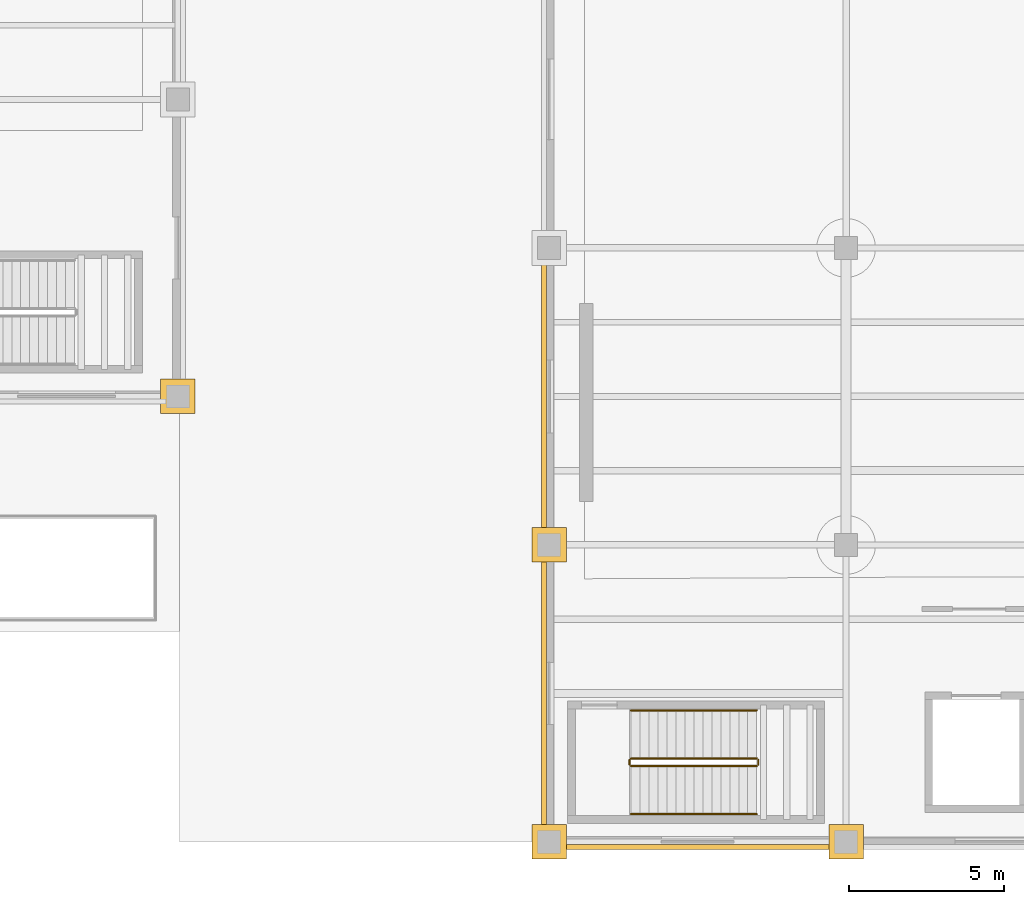
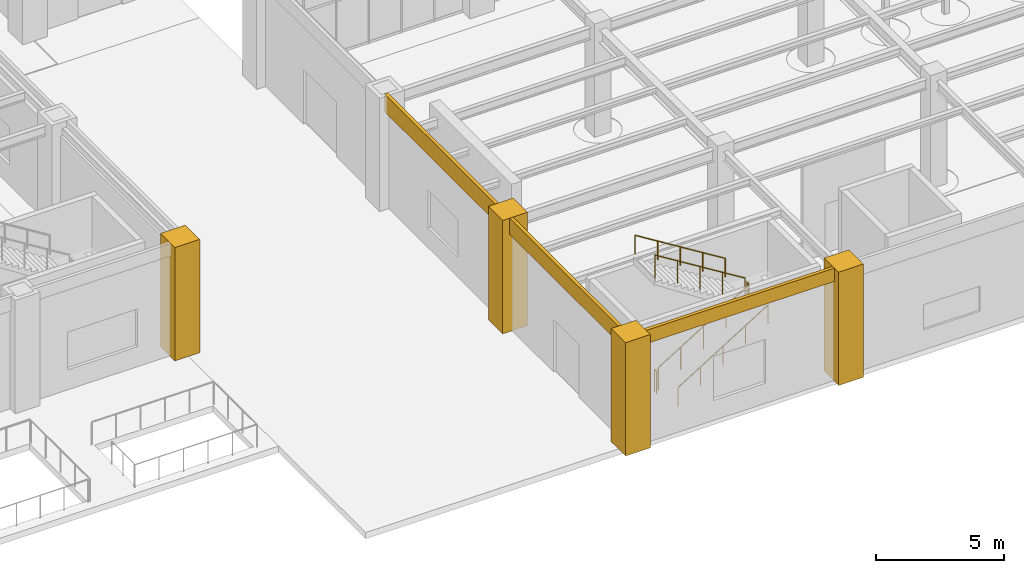
# One storey, part 149 of 164: 7 coverings, 6 railings.
"""IFC4 building model written with IfcOpenShell, lengths in metres."""

import ifcopenshell
import ifcopenshell.guid

model = None  # the IFC model being written
_history = None  # IfcOwnerHistory: only IFC2X3 demands one
_inside = {}  # id of a spatial element -> (the spatial element, [elements in it])
_under = {}  # id of a project, library or spatial element -> (it, [spatial elements below it])
_declared = {}  # id of a project -> (the project, [libraries it declares])
_typed = {}  # id of a type object -> (the type object, [elements of that type])
_made_of = {}  # id of a material, layer set ... -> (it, [elements and type objects made of it])


def new_model(schema):
    """Start an empty IFC model of exactly this schema.

    Asked for "IFC4X3", IfcOpenShell would pick the latest addendum, in which some entities
    have other attributes; the version numbers below select the first issue.
    IFC2X3 requires an IfcOwnerHistory on every rooted entity: one is made here for all.
    """
    global model, _history
    if schema == "IFC4X3":
        model = ifcopenshell.file(schema_version=(4, 3, 0, 0))
    else:
        model = ifcopenshell.file(schema=schema)
    _inside.clear()
    _under.clear()
    _declared.clear()
    _typed.clear()
    _made_of.clear()
    _history = None
    if model.schema == "IFC2X3":
        org = make("IfcOrganization", Name="unknown")
        user = make(
            "IfcPersonAndOrganization",
            ThePerson=make("IfcPerson", FamilyName="unknown"),
            TheOrganization=org,
        )
        app = make(
            "IfcApplication",
            ApplicationDeveloper=org,
            Version="unknown",
            ApplicationFullName="unknown",
            ApplicationIdentifier="unknown",
        )
        _history = make(
            "IfcOwnerHistory",
            OwningUser=user,
            OwningApplication=app,
            ChangeAction="ADDED",
            CreationDate=0,
        )
    return model


def make(cls, **values):
    """One entity of the class cls with the attributes given. An attribute that is None is left unset."""
    return model.create_entity(
        cls, **{name: value for name, value in values.items() if value is not None}
    )


def rooted(cls, **values):
    """An entity with a GlobalId (a new one), such as an element, a storey or a relation."""
    return make(cls, GlobalId=ifcopenshell.guid.new(), OwnerHistory=_history, **values)


def si_unit(unit_type, name, prefix=None):
    """IfcSIUnit, for example si_unit("LENGTHUNIT", "METRE", prefix="MILLI")."""
    return make("IfcSIUnit", UnitType=unit_type, Prefix=prefix, Name=name)


def assignment(units):
    """IfcUnitAssignment: the units of a project."""
    return None if units is None else make("IfcUnitAssignment", Units=units)


def point(xyz):
    """IfcCartesianPoint."""
    return None if xyz is None else make("IfcCartesianPoint", Coordinates=xyz)


def direction(xyz):
    """IfcDirection."""
    return None if xyz is None else make("IfcDirection", DirectionRatios=xyz)


def frame(location, z_axis=None, x_axis=None):
    """IfcAxis2Placement3D, a coordinate frame: its origin and axes. An axis left out is left unset."""
    return make(
        "IfcAxis2Placement3D",
        Location=point(location),
        Axis=direction(z_axis),
        RefDirection=direction(x_axis),
    )


def frame_2d(location, x_axis=None):
    """IfcAxis2Placement2D, a coordinate frame in the plane: its origin and x axis."""
    return make(
        "IfcAxis2Placement2D", Location=point(location), RefDirection=direction(x_axis)
    )


def origin():
    """The frame at (0, 0, 0) with its axes left unset."""
    return frame((0.0, 0.0, 0.0))


def origin_2d():
    """The frame at (0, 0) in the plane with its x axis left unset."""
    return frame_2d((0.0, 0.0))


def place(relative_to, where):
    """IfcLocalPlacement: puts the frame where relative to a parent placement (None: the world)."""
    return make(
        "IfcLocalPlacement", PlacementRelTo=relative_to, RelativePlacement=where
    )


def context(
    kind, dimensions, precision=None, world=None, true_north=None, identifier=None
):
    """IfcGeometricRepresentationContext, for example the 3D "Model" context."""
    return make(
        "IfcGeometricRepresentationContext",
        ContextIdentifier=identifier,
        ContextType=kind,
        CoordinateSpaceDimension=dimensions,
        Precision=precision,
        WorldCoordinateSystem=world,
        TrueNorth=true_north,
    )


def subcontext(parent, identifier, kind, view, scale=None):
    """IfcGeometricRepresentationSubContext, for example "Body" below "Model"."""
    return make(
        "IfcGeometricRepresentationSubContext",
        ContextIdentifier=identifier,
        ContextType=kind,
        ParentContext=parent,
        TargetScale=scale,
        TargetView=view,
    )


def project(units=None, contexts=None):
    """IfcProject with its units and contexts."""
    return rooted(
        "IfcProject",
        Name="project",
        RepresentationContexts=contexts,
        UnitsInContext=assignment(units),
    )


def spatial(cls, under=None, at=None, **own):
    """A site, building, storey or space (cls), placed at a placement, below another one or the project."""
    s = rooted(cls, ObjectPlacement=at, **own)
    if under is not None:
        _under.setdefault(under.id(), (under, []))[1].append(s)
    return s


def polyline(points):
    """IfcPolyline through the points."""
    return make("IfcPolyline", Points=[point(p) for p in points])


def profile(cls, at=None, kind="AREA", **sizes):
    """A parametric profile (cls). Its sizes go by their IFC names, for example OverallWidth=200.0."""
    return make(cls, ProfileType=kind, Position=at, **sizes)


def circle(**sizes):
    """IfcCircleProfileDef."""
    return profile("IfcCircleProfileDef", **sizes)


def outline(outer, holes=None, kind="AREA"):
    """IfcArbitraryClosedProfileDef: a profile drawn as a closed curve; with holes, ...WithVoids."""
    if holes is None:
        return make("IfcArbitraryClosedProfileDef", ProfileType=kind, OuterCurve=outer)
    return make(
        "IfcArbitraryProfileDefWithVoids",
        ProfileType=kind,
        OuterCurve=outer,
        InnerCurves=holes,
    )


def extrude(swept, where, along, depth):
    """IfcExtrudedAreaSolid: the profile swept, set in the frame where, extruded along a direction by depth."""
    return make(
        "IfcExtrudedAreaSolid",
        SweptArea=swept,
        Position=where,
        ExtrudedDirection=direction(along),
        Depth=depth,
    )


def shape(context_of_items, identifier, shape_type, items):
    """IfcShapeRepresentation: the items that make up one representation, for example the "Body"."""
    return make(
        "IfcShapeRepresentation",
        ContextOfItems=context_of_items,
        RepresentationIdentifier=identifier,
        RepresentationType=shape_type,
        Items=items,
    )


def material(Name=None, Category=None):
    """IfcMaterial."""
    return make("IfcMaterial", Name=Name, Category=Category)


def layer(
    of_material, thickness, ventilated=None, Name=None, Category=None, Priority=None
):
    """IfcMaterialLayer: one layer of a wall or slab, of a material (None: an air gap)."""
    return make(
        "IfcMaterialLayer",
        Material=of_material,
        LayerThickness=thickness,
        IsVentilated=ventilated,
        Name=Name,
        Category=Category,
        Priority=Priority,
    )


def layer_set(layers, Name=None):
    """IfcMaterialLayerSet."""
    return make("IfcMaterialLayerSet", MaterialLayers=layers, LayerSetName=Name)


def made_of(thing, what):
    """Note that an element or type object is made of a material, layer set ...; save() writes the relation."""
    if what is not None:
        _made_of.setdefault(what.id(), (what, []))[1].append(thing)
    return thing


def type_object(cls, material=None, **own):
    """A type object (cls), such as IfcWallType, which elements share."""
    return made_of(rooted(cls, **own), material)


def element(
    cls,
    number,
    at=None,
    inside=None,
    cuts=None,
    type_object=None,
    material=None,
    context=None,
    identifier="Body",
    shape_type=None,
    held_by="IfcProductDefinitionShape",
    body=None,
    shapes=None,
    **own,
):
    """One element of the class cls, such as IfcWall. Its Tag is "e" and its number.

    at: its placement. inside: the storey or other place that contains it. cuts: it is an
    opening in that element (IfcRelVoidsElement). A single representation is given by context,
    identifier, shape_type and body (its items); several are given by shapes. held_by: the class
    of the entity that holds the representations. save() writes the other relations.
    """
    e = rooted(cls, Tag="e%d" % number, ObjectPlacement=at, **own)
    if body is not None:
        shapes = [shape(context, identifier, shape_type, body)]
    if shapes is not None:
        e.Representation = make(held_by, Representations=shapes)
    if inside is not None:
        _inside.setdefault(inside.id(), (inside, []))[1].append(e)
    if cuts is not None:
        rooted(
            "IfcRelVoidsElement", RelatingBuildingElement=cuts, RelatedOpeningElement=e
        )
    if type_object is not None:
        _typed.setdefault(type_object.id(), (type_object, []))[1].append(e)
    return made_of(e, material)


def aggregate(whole, parts):
    """IfcRelAggregates: a whole, such as a stair, and the parts it consists of."""
    return rooted("IfcRelAggregates", RelatingObject=whole, RelatedObjects=parts)


def save(model, path):
    """Write the relations noted so far, then the file.

    IfcRelAggregates (storeys below a building ...), IfcRelContainedInSpatialStructure (elements
    in a storey), IfcRelDefinesByType, IfcRelAssociatesMaterial and IfcRelDeclares: one each for
    every whole, place, type object, material and project.
    """
    for whole, parts in _under.values():
        aggregate(whole, parts)
    for where, things in _inside.values():
        rooted(
            "IfcRelContainedInSpatialStructure",
            RelatedElements=things,
            RelatingStructure=where,
        )
    for kind, things in _typed.values():
        rooted("IfcRelDefinesByType", RelatedObjects=things, RelatingType=kind)
    for what, things in _made_of.values():
        rooted("IfcRelAssociatesMaterial", RelatedObjects=things, RelatingMaterial=what)
    for by, libraries in _declared.values():
        rooted("IfcRelDeclares", RelatingContext=by, RelatedDefinitions=libraries)
    model.write(path)


model = new_model("IFC4")

# Units and contexts
model_context = context("Model", 3, precision=1e-05, world=origin(), true_north=direction((0.0, 1.0)))
body_context = subcontext(model_context, "Body", "Model", "MODEL_VIEW")
ifc_project = project(units=[si_unit("LENGTHUNIT", "METRE"), si_unit("AREAUNIT", "SQUARE_METRE"), si_unit("VOLUMEUNIT", "CUBIC_METRE"), si_unit("PLANEANGLEUNIT", "RADIAN"), si_unit("MASSUNIT", "GRAM", prefix="KILO")], contexts=[model_context])

# Site, building, storey
site_placement = place(None, origin())
site = spatial("IfcSite", under=ifc_project, at=site_placement, CompositionType="ELEMENT")
building_placement = place(site_placement, origin())
building = spatial("IfcBuilding", under=site, at=building_placement, Name="Mavantir Sound Aquarium", CompositionType="ELEMENT")
storey_placement = place(building_placement, origin())
storey = spatial("IfcBuildingStorey", under=building, at=storey_placement, Name="L00", CompositionType="ELEMENT", Elevation=0.0)

# Coverings
ifc_material_1 = material(Name="Honed Coral-Limestone & Glazed Terracotta Rainscreen Cladding", Category="masonry")
ifc_layer = layer(ifc_material_1, 0.06005859375, Name="Honed Coral-Limestone & Glazed Terracotta Rainscreen Cladding")
ifc_layer_set = layer_set([ifc_layer], Name="Honed Coral-Limestone & Glazed Terracotta Rainscreen Cladding")
covering_type = type_object("IfcCoveringType", Name="COV-CLAD-TC", PredefinedType="CLADDING", material=ifc_layer_set)
covering_1_placement = place(storey_placement, frame((0.0, 0.0, 4.549072265625)))
element("IfcCovering", 1, at=covering_1_placement, inside=storey, type_object=covering_type, Name="L00 Postmodern coral-limestone spandrel frieze 134", PredefinedType="CLADDING", context=body_context, shape_type="SweptSolid", body=[
    extrude(outline(polyline([(107.909912109375, 18.81689453125), (107.909912109375, 9.98291015625), (107.760009765625, 9.98291015625), (107.760009765625, 18.81689453125), (107.909912109375, 18.81689453125)])), origin(), (0.0, 0.0, 1.0), 0.850830078125),
])
covering_2_placement = place(storey_placement, frame((0.0, 0.0, 4.613037109375)))
element("IfcCovering", 2, at=covering_2_placement, inside=storey, type_object=covering_type, Name="L00 Postmodern coral-limestone spandrel frieze 135", PredefinedType="CLADDING", context=body_context, shape_type="SweptSolid", body=[
    extrude(outline(polyline([(107.909912109375, 9.217041015625), (107.909912109375, 0.383056640625), (107.760009765625, 0.383056640625), (107.760009765625, 9.217041015625), (107.909912109375, 9.217041015625)])), origin(), (0.0, 0.0, 1.0), 0.786865234375),
])
covering_3_placement = place(storey_placement, frame((0.0, 0.0, 4.762939453125)))
element("IfcCovering", 3, at=covering_3_placement, inside=storey, type_object=covering_type, Name="L00 Postmodern coral-limestone spandrel frieze 136", PredefinedType="CLADDING", context=body_context, shape_type="SweptSolid", body=[
    extrude(outline(polyline([(108.383056640625, -0.090087890625), (117.217041015625, -0.090087890625), (117.217041015625, -0.239990234375), (108.383056640625, -0.239990234375), (108.383056640625, -0.090087890625)])), origin(), (0.0, 0.0, 1.0), 0.636962890625),
])
covering_4_placement = place(storey_placement, origin())
element("IfcCovering", 4, at=covering_4_placement, inside=storey, type_object=covering_type, Name="L00 Postmodern coral-limestone pilaster casing 417", PredefinedType="CLADDING", context=body_context, shape_type="SweptSolid", body=[
    extrude(outline(polyline([(107.43994140625, -0.56005859375), (108.56005859375, -0.56005859375), (108.56005859375, 0.56005859375), (107.43994140625, 0.56005859375), (107.43994140625, -0.56005859375)])), origin(), (0.0, 0.0, 1.0), 5.39990234375),
])
covering_5_placement = place(storey_placement, origin())
element("IfcCovering", 5, at=covering_5_placement, inside=storey, type_object=covering_type, Name="L00 Postmodern coral-limestone pilaster casing 421", PredefinedType="CLADDING", context=body_context, shape_type="SweptSolid", body=[
    extrude(outline(polyline([(107.43994140625, 9.0400390625), (108.56005859375, 9.0400390625), (108.56005859375, 10.159912109375), (107.43994140625, 10.159912109375), (107.43994140625, 9.0400390625)])), origin(), (0.0, 0.0, 1.0), 5.39990234375),
])
covering_6_placement = place(storey_placement, origin())
element("IfcCovering", 6, at=covering_6_placement, inside=storey, type_object=covering_type, Name="L00 Postmodern coral-limestone pilaster casing 430", PredefinedType="CLADDING", context=body_context, shape_type="SweptSolid", body=[
    extrude(outline(polyline([(117.0400390625, -0.56005859375), (118.159912109375, -0.56005859375), (118.159912109375, 0.56005859375), (117.0400390625, 0.56005859375), (117.0400390625, -0.56005859375)])), origin(), (0.0, 0.0, 1.0), 5.39990234375),
])
covering_7_placement = place(storey_placement, origin())
element("IfcCovering", 7, at=covering_7_placement, inside=storey, type_object=covering_type, Name="L00 Postmodern coral-limestone pilaster casing 485", PredefinedType="CLADDING", context=body_context, shape_type="SweptSolid", body=[
    extrude(outline(polyline([(95.43994140625, 13.840087890625), (96.56005859375, 13.840087890625), (96.56005859375, 14.9599609375), (95.43994140625, 14.9599609375), (95.43994140625, 13.840087890625)])), origin(), (0.0, 0.0, 1.0), 5.39990234375),
])

# Railings
ifc_material_2 = material(Name="Stainless Steel 316 and Laminated Glass Guardrail", Category="steel")
railing_type_1 = type_object("IfcRailingType", Name="RL-GUARD-110", PredefinedType="GUARDRAIL", material=ifc_material_2)
railing_1_placement = place(storey_placement, frame((110.64990234375, 2.449951171875, 0.179931640625)))
element("IfcRailing", 8, at=railing_1_placement, inside=storey, type_object=railing_type_1, Name="L00 ST6 stair guard 1", PredefinedType="GUARDRAIL", context=body_context, shape_type="SweptSolid", body=[
    extrude(circle(Radius=0.02392578125, at=origin_2d()), frame((0.0, 0.0, 1.076171875), z_axis=(0.849641744969, 0.0, 0.527360318194), x_axis=(0.0, 1.0, 0.0)), (0.0, 0.0, 1.0), 4.778564453125),
    extrude(circle(Radius=0.02099609375, at=origin_2d()), origin(), (0.0, 0.0, 1.0), 1.052001953125),
    extrude(circle(Radius=0.02099609375, at=origin_2d()), frame((1.01513671875, 0.0, 0.6298828125)), (0.0, 0.0, 1.0), 1.052001953125),
    extrude(circle(Radius=0.02099609375, at=origin_2d()), frame((2.030029296875, 0.0, 1.260009765625)), (0.0, 0.0, 1.0), 1.052001953125),
    extrude(circle(Radius=0.02099609375, at=origin_2d()), frame((3.044921875, 0.0, 1.89013671875)), (0.0, 0.0, 1.0), 1.052001953125),
    extrude(circle(Radius=0.02099609375, at=origin_2d()), frame((4.06005859375, 0.0, 2.52001953125)), (0.0, 0.0, 1.0), 1.052001953125),
])
railing_2_placement = place(storey_placement, frame((114.760009765625, 2.5, 2.699951171875)))
element("IfcRailing", 9, at=railing_2_placement, inside=storey, type_object=railing_type_1, Name="L00 ST6 stair guard 2", PredefinedType="GUARDRAIL", context=body_context, shape_type="SweptSolid", body=[
    extrude(circle(Radius=0.02392578125, at=origin_2d()), frame((0.0, 0.0, 1.076171875), z_axis=(0.0, 1.0, 0.0), x_axis=(-1.0, 0.0, 0.0)), (0.0, 0.0, 1.0), 0.14990234375),
    extrude(circle(Radius=0.02099609375, at=origin_2d()), origin(), (0.0, 0.0, 1.0), 1.052001953125),
    extrude(circle(Radius=0.02099609375, at=origin_2d()), frame((0.0, 0.14990234375, 0.0)), (0.0, 0.0, 1.0), 1.052001953125),
])
railing_3_placement = place(storey_placement, frame((114.7099609375, 2.699951171875, 2.8798828125)))
element("IfcRailing", 10, at=railing_3_placement, inside=storey, type_object=railing_type_1, Name="L00 ST6 stair guard 3", PredefinedType="GUARDRAIL", context=body_context, shape_type="SweptSolid", body=[
    extrude(circle(Radius=0.02392578125, at=origin_2d()), frame((0.0, 0.0, 1.076171875), z_axis=(-0.849641744969, 0.0, 0.527360318194), x_axis=(0.0, -1.0, 0.0)), (0.0, 0.0, 1.0), 4.778564453125),
    extrude(circle(Radius=0.02099609375, at=origin_2d()), origin(), (0.0, 0.0, 1.0), 1.052001953125),
    extrude(circle(Radius=0.02099609375, at=origin_2d()), frame((-1.01513671875, 0.0, 0.6298828125)), (0.0, 0.0, 1.0), 1.052001953125),
    extrude(circle(Radius=0.02099609375, at=origin_2d()), frame((-2.030029296875, 0.0, 1.260009765625)), (0.0, 0.0, 1.0), 1.052001953125),
    extrude(circle(Radius=0.02099609375, at=origin_2d()), frame((-3.044921875, 0.0, 1.89013671875)), (0.0, 0.0, 1.0), 1.052001953125),
    extrude(circle(Radius=0.02099609375, at=origin_2d()), frame((-4.06005859375, 0.0, 2.52001953125)), (0.0, 0.0, 1.0), 1.052001953125),
])
railing_4_placement = place(storey_placement, frame((110.60009765625, 2.5, 0.0)))
element("IfcRailing", 11, at=railing_4_placement, inside=storey, type_object=railing_type_1, Name="L00 ST6 stair guard 4", PredefinedType="GUARDRAIL", context=body_context, shape_type="SweptSolid", body=[
    extrude(circle(Radius=0.02392578125, at=origin_2d()), frame((0.0, 0.0, 1.076171875), z_axis=(0.0, 1.0, 0.0), x_axis=(-1.0, 0.0, 0.0)), (0.0, 0.0, 1.0), 0.14990234375),
    extrude(circle(Radius=0.02099609375, at=origin_2d()), origin(), (0.0, 0.0, 1.0), 1.052001953125),
    extrude(circle(Radius=0.02099609375, at=origin_2d()), frame((0.0, 0.14990234375, 0.0)), (0.0, 0.0, 1.0), 1.052001953125),
])
ifc_material_3 = material(Name="Brushed Stainless Steel 316 Handrail", Category="steel")
railing_type_2 = type_object("IfcRailingType", Name="RL-HR-90", PredefinedType="HANDRAIL", material=ifc_material_3)
railing_5_placement = place(storey_placement, frame((110.64990234375, 0.89990234375, 0.364990234375)))
element("IfcRailing", 12, at=railing_5_placement, inside=storey, type_object=railing_type_2, Name="L00 ST6 stair handrail 1", PredefinedType="HANDRAIL", context=body_context, shape_type="SweptSolid", body=[
    extrude(circle(Radius=0.02392578125, at=origin_2d()), frame((0.0, 0.0, 0.89111328125), z_axis=(0.849641744969, 0.0, 0.527360318194), x_axis=(0.0, 1.0, 0.0)), (0.0, 0.0, 1.0), 4.778564453125),
    extrude(circle(Radius=0.02099609375, at=origin_2d()), origin(), (0.0, 0.0, 1.0), 0.866943359375),
    extrude(circle(Radius=0.02099609375, at=origin_2d()), frame((1.01513671875, 0.0, 0.6298828125)), (0.0, 0.0, 1.0), 0.866943359375),
    extrude(circle(Radius=0.02099609375, at=origin_2d()), frame((2.030029296875, 0.0, 1.260009765625)), (0.0, 0.0, 1.0), 0.866943359375),
    extrude(circle(Radius=0.02099609375, at=origin_2d()), frame((3.044921875, 0.0, 1.89013671875)), (0.0, 0.0, 1.0), 0.866943359375),
    extrude(circle(Radius=0.02099609375, at=origin_2d()), frame((4.06005859375, 0.0, 2.52001953125)), (0.0, 0.0, 1.0), 0.866943359375),
])
railing_6_placement = place(storey_placement, frame((114.7099609375, 4.25, 3.06494140625)))
element("IfcRailing", 13, at=railing_6_placement, inside=storey, type_object=railing_type_2, Name="L00 ST6 stair handrail 2", PredefinedType="HANDRAIL", context=body_context, shape_type="SweptSolid", body=[
    extrude(circle(Radius=0.02392578125, at=origin_2d()), frame((0.0, 0.0, 0.89111328125), z_axis=(-0.849641744969, 0.0, 0.527360318194), x_axis=(0.0, -1.0, 0.0)), (0.0, 0.0, 1.0), 4.778564453125),
    extrude(circle(Radius=0.02099609375, at=origin_2d()), origin(), (0.0, 0.0, 1.0), 0.866943359375),
    extrude(circle(Radius=0.02099609375, at=origin_2d()), frame((-1.01513671875, 0.0, 0.6298828125)), (0.0, 0.0, 1.0), 0.866943359375),
    extrude(circle(Radius=0.02099609375, at=origin_2d()), frame((-2.030029296875, 0.0, 1.260009765625)), (0.0, 0.0, 1.0), 0.866943359375),
    extrude(circle(Radius=0.02099609375, at=origin_2d()), frame((-3.044921875, 0.0, 1.89013671875)), (0.0, 0.0, 1.0), 0.866943359375),
    extrude(circle(Radius=0.02099609375, at=origin_2d()), frame((-4.06005859375, 0.0, 2.52001953125)), (0.0, 0.0, 1.0), 0.866943359375),
])

save(model, "model.ifc")
